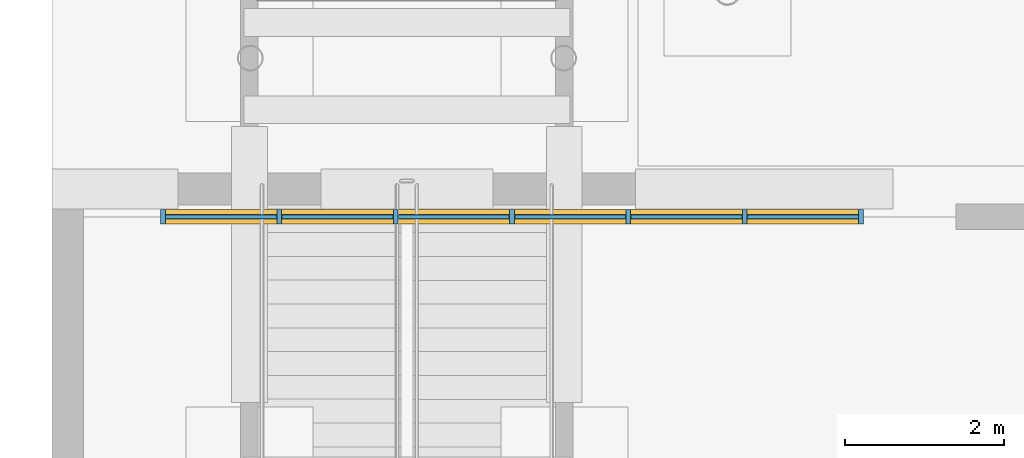
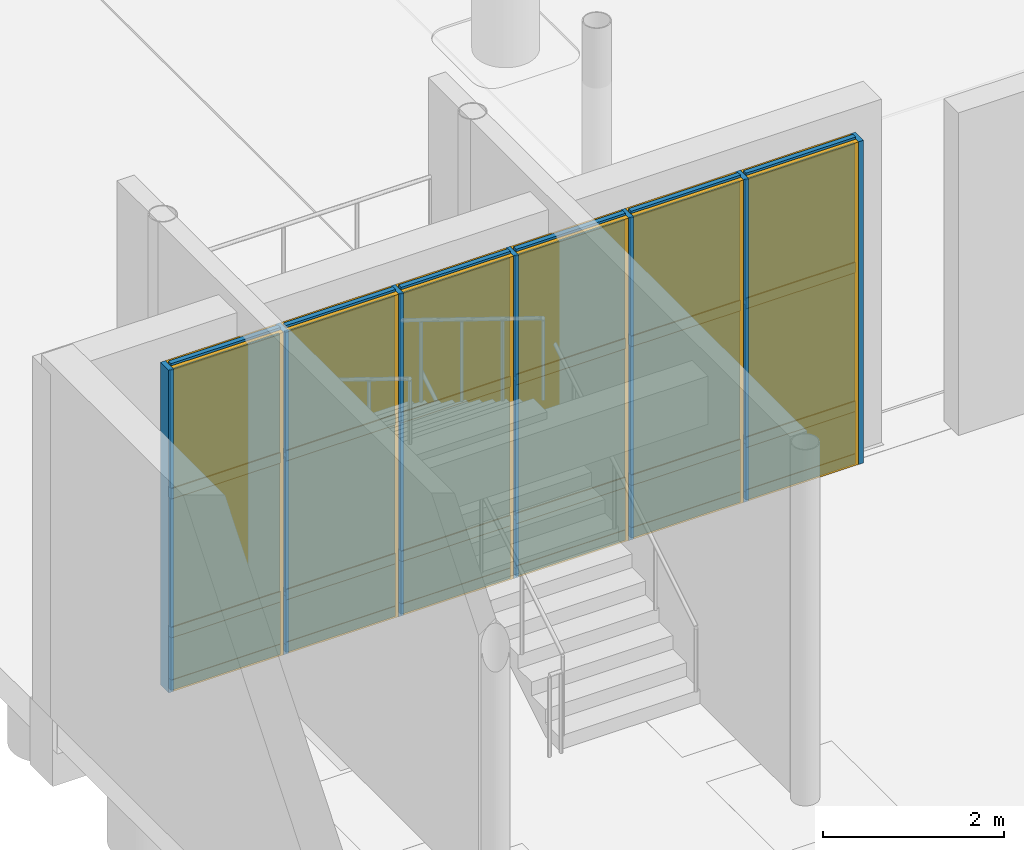
# One storey, part 34 of 46: 31 members, 18 plates, 1 curtain wall.
"""IFC4 building model written with IfcOpenShell, lengths in metres."""

from ifc_helpers import new_model, si_unit, direction, frame, frame_2d, origin, origin_2d, place, context, subcontext, project, spatial, rectangle, extrude, material, layer, layer_set, material_profile, profile_set, type_object, element, aggregate, save


model = new_model("IFC4")

# Units and contexts
model_context = context("Model", 3, precision=1e-05, world=origin(), true_north=direction((0.0, 1.0)))
body_context = subcontext(model_context, "Body", "Model", "MODEL_VIEW")
ifc_project = project(units=[si_unit("LENGTHUNIT", "METRE"), si_unit("AREAUNIT", "SQUARE_METRE"), si_unit("VOLUMEUNIT", "CUBIC_METRE"), si_unit("PLANEANGLEUNIT", "RADIAN"), si_unit("MASSUNIT", "GRAM", prefix="KILO")], contexts=[model_context])

# Member
ifc_material_1 = material(Name="Anodised Bronze Aluminium 6063-T6", Category="aluminium")
ifc_material_profile_1 = material_profile(ifc_material_1, rectangle(XDim=0.06005859375, YDim=0.179931640625, at=origin_2d()), Name="ALU MULLION 60x180")
ifc_profile_set_1 = profile_set([ifc_material_profile_1], Name="Anodised Bronze Aluminium 6063-T6")
member_type_1 = type_object("IfcMemberType", Name="Curtain-Wall Primary Mullion 60x180", PredefinedType="MULLION", material=ifc_profile_set_1)
site_placement = place(None, origin())
building_placement = place(site_placement, origin())
storey_placement = place(building_placement, frame((0.0, 0.0, -4.800048828125)))
member_1_placement = place(storey_placement, frame((59.0, 14.199951171875, 0.0), z_axis=(0.0, 0.0, 1.0), x_axis=(1.0, 0.0, 0.0)))
member_1 = element("IfcMember", 1, at=member_1_placement, type_object=member_type_1, Name="Mullion CWM-01 CW-B1-METRO-W-M01", PredefinedType="MULLION", context=body_context, shape_type="SweptSolid", body=[
    extrude(rectangle(XDim=0.06005859375, YDim=0.179931640625, at=origin_2d()), origin(), (0.0, 0.0, 1.0), 4.35009765625),
])

member_2_placement = place(storey_placement, frame((60.466796875, 14.199951171875, 0.0), z_axis=(0.0, 0.0, 1.0), x_axis=(1.0, 0.0, 0.0)))
member_2 = element("IfcMember", 2, at=member_2_placement, type_object=member_type_1, Name="Mullion CWM-01 CW-B1-METRO-W-M02", PredefinedType="MULLION", context=body_context, shape_type="SweptSolid", body=[
    extrude(rectangle(XDim=0.06005859375, YDim=0.179931640625, at=origin_2d()), origin(), (0.0, 0.0, 1.0), 4.35009765625),
])

member_3_placement = place(storey_placement, frame((61.933349609375, 14.199951171875, 0.0), z_axis=(0.0, 0.0, 1.0), x_axis=(1.0, 0.0, 0.0)))
member_3 = element("IfcMember", 3, at=member_3_placement, type_object=member_type_1, Name="Mullion CWM-01 CW-B1-METRO-W-M03", PredefinedType="MULLION", context=body_context, shape_type="SweptSolid", body=[
    extrude(rectangle(XDim=0.06005859375, YDim=0.179931640625, at=origin_2d()), origin(), (0.0, 0.0, 1.0), 4.35009765625),
])

member_4_placement = place(storey_placement, frame((63.39990234375, 14.199951171875, 0.0), z_axis=(0.0, 0.0, 1.0), x_axis=(1.0, 0.0, 0.0)))
member_4 = element("IfcMember", 4, at=member_4_placement, type_object=member_type_1, Name="Mullion CWM-01 CW-B1-METRO-W-M04", PredefinedType="MULLION", context=body_context, shape_type="SweptSolid", body=[
    extrude(rectangle(XDim=0.06005859375, YDim=0.179931640625, at=origin_2d()), origin(), (0.0, 0.0, 1.0), 4.35009765625),
])

member_5_placement = place(storey_placement, frame((64.86669921875, 14.199951171875, 0.0), z_axis=(0.0, 0.0, 1.0), x_axis=(1.0, 0.0, 0.0)))
member_5 = element("IfcMember", 5, at=member_5_placement, type_object=member_type_1, Name="Mullion CWM-01 CW-B1-METRO-W-M05", PredefinedType="MULLION", context=body_context, shape_type="SweptSolid", body=[
    extrude(rectangle(XDim=0.06005859375, YDim=0.179931640625, at=origin_2d()), origin(), (0.0, 0.0, 1.0), 4.35009765625),
])

member_6_placement = place(storey_placement, frame((66.333251953125, 14.199951171875, 0.0), z_axis=(0.0, 0.0, 1.0), x_axis=(1.0, 0.0, 0.0)))
member_6 = element("IfcMember", 6, at=member_6_placement, type_object=member_type_1, Name="Mullion CWM-01 CW-B1-METRO-W-M06", PredefinedType="MULLION", context=body_context, shape_type="SweptSolid", body=[
    extrude(rectangle(XDim=0.06005859375, YDim=0.179931640625, at=origin_2d()), origin(), (0.0, 0.0, 1.0), 4.35009765625),
])

member_7_placement = place(storey_placement, frame((67.800048828125, 14.199951171875, 0.0), z_axis=(0.0, 0.0, 1.0), x_axis=(1.0, 0.0, 0.0)))
member_7 = element("IfcMember", 7, at=member_7_placement, type_object=member_type_1, Name="Mullion CWM-01 CW-B1-METRO-W-M07", PredefinedType="MULLION", context=body_context, shape_type="SweptSolid", body=[
    extrude(rectangle(XDim=0.06005859375, YDim=0.179931640625, at=origin_2d()), origin(), (0.0, 0.0, 1.0), 4.35009765625),
])

ifc_material_profile_2 = material_profile(ifc_material_1, rectangle(XDim=0.06005859375, YDim=0.139892578125, at=origin_2d()), Name="ALU TRANSOM 60x140")
ifc_profile_set_2 = profile_set([ifc_material_profile_2], Name="Anodised Bronze Aluminium 6063-T6")
member_type_2 = type_object("IfcMemberType", Name="Curtain-Wall Transom 60x140", PredefinedType="USERDEFINED", material=ifc_profile_set_2)
member_8_placement = place(storey_placement, frame((59.034912109375, 14.199951171875, 0.0400390625), z_axis=(1.0, 0.0, 0.0), x_axis=(0.0, 1.0, 0.0)))
member_8 = element("IfcMember", 8, at=member_8_placement, type_object=member_type_2, Name="Transom CWT-01 CW-B1-METRO-W-T01.1", ObjectType="TRANSOM", PredefinedType="USERDEFINED", context=body_context, shape_type="SweptSolid", body=[
    extrude(rectangle(XDim=0.06005859375, YDim=0.139892578125, at=origin_2d()), origin(), (0.0, 0.0, 1.0), 1.396728515625),
])

member_9_placement = place(storey_placement, frame((59.034912109375, 14.199951171875, 0.75), z_axis=(1.0, 0.0, 0.0), x_axis=(0.0, 1.0, 0.0)))
member_9 = element("IfcMember", 9, at=member_9_placement, type_object=member_type_2, Name="Transom CWT-01 CW-B1-METRO-W-T01.2", ObjectType="TRANSOM", PredefinedType="USERDEFINED", context=body_context, shape_type="SweptSolid", body=[
    extrude(rectangle(XDim=0.06005859375, YDim=0.139892578125, at=origin_2d()), origin(), (0.0, 0.0, 1.0), 1.396728515625),
])

member_10_placement = place(storey_placement, frame((59.034912109375, 14.199951171875, 2.6220703125), z_axis=(1.0, 0.0, 0.0), x_axis=(0.0, 1.0, 0.0)))
member_10 = element("IfcMember", 10, at=member_10_placement, type_object=member_type_2, Name="Transom CWT-01 CW-B1-METRO-W-T01.3", ObjectType="TRANSOM", PredefinedType="USERDEFINED", context=body_context, shape_type="SweptSolid", body=[
    extrude(rectangle(XDim=0.06005859375, YDim=0.139892578125, at=origin_2d()), origin(), (0.0, 0.0, 1.0), 1.396728515625),
])

member_11_placement = place(storey_placement, frame((59.034912109375, 14.199951171875, 4.31005859375), z_axis=(1.0, 0.0, 0.0), x_axis=(0.0, 1.0, 0.0)))
member_11 = element("IfcMember", 11, at=member_11_placement, type_object=member_type_2, Name="Transom CWT-01 CW-B1-METRO-W-T01.4", ObjectType="TRANSOM", PredefinedType="USERDEFINED", context=body_context, shape_type="SweptSolid", body=[
    extrude(rectangle(XDim=0.06005859375, YDim=0.139892578125, at=origin_2d()), origin(), (0.0, 0.0, 1.0), 1.396728515625),
])

member_12_placement = place(storey_placement, frame((60.501708984375, 14.199951171875, 0.0400390625), z_axis=(1.0, 0.0, 0.0), x_axis=(0.0, 1.0, 0.0)))
member_12 = element("IfcMember", 12, at=member_12_placement, type_object=member_type_2, Name="Transom CWT-01 CW-B1-METRO-W-T02.1", ObjectType="TRANSOM", PredefinedType="USERDEFINED", context=body_context, shape_type="SweptSolid", body=[
    extrude(rectangle(XDim=0.06005859375, YDim=0.139892578125, at=origin_2d()), origin(), (0.0, 0.0, 1.0), 1.396484375),
])

member_13_placement = place(storey_placement, frame((60.501708984375, 14.199951171875, 0.75), z_axis=(1.0, 0.0, 0.0), x_axis=(0.0, 1.0, 0.0)))
member_13 = element("IfcMember", 13, at=member_13_placement, type_object=member_type_2, Name="Transom CWT-01 CW-B1-METRO-W-T02.2", ObjectType="TRANSOM", PredefinedType="USERDEFINED", context=body_context, shape_type="SweptSolid", body=[
    extrude(rectangle(XDim=0.06005859375, YDim=0.139892578125, at=origin_2d()), origin(), (0.0, 0.0, 1.0), 1.396484375),
])

member_14_placement = place(storey_placement, frame((60.501708984375, 14.199951171875, 2.6220703125), z_axis=(1.0, 0.0, 0.0), x_axis=(0.0, 1.0, 0.0)))
member_14 = element("IfcMember", 14, at=member_14_placement, type_object=member_type_2, Name="Transom CWT-01 CW-B1-METRO-W-T02.3", ObjectType="TRANSOM", PredefinedType="USERDEFINED", context=body_context, shape_type="SweptSolid", body=[
    extrude(rectangle(XDim=0.06005859375, YDim=0.139892578125, at=origin_2d()), origin(), (0.0, 0.0, 1.0), 1.396484375),
])

member_15_placement = place(storey_placement, frame((60.501708984375, 14.199951171875, 4.31005859375), z_axis=(1.0, 0.0, 0.0), x_axis=(0.0, 1.0, 0.0)))
member_15 = element("IfcMember", 15, at=member_15_placement, type_object=member_type_2, Name="Transom CWT-01 CW-B1-METRO-W-T02.4", ObjectType="TRANSOM", PredefinedType="USERDEFINED", context=body_context, shape_type="SweptSolid", body=[
    extrude(rectangle(XDim=0.06005859375, YDim=0.139892578125, at=origin_2d()), origin(), (0.0, 0.0, 1.0), 1.396484375),
])

member_16_placement = place(storey_placement, frame((61.96826171875, 14.199951171875, 0.0400390625), z_axis=(1.0, 0.0, 0.0), x_axis=(0.0, 1.0, 0.0)))
member_16 = element("IfcMember", 16, at=member_16_placement, type_object=member_type_2, Name="Transom CWT-01 CW-B1-METRO-W-T03.1", ObjectType="TRANSOM", PredefinedType="USERDEFINED", context=body_context, shape_type="SweptSolid", body=[
    extrude(rectangle(XDim=0.06005859375, YDim=0.139892578125, at=origin_2d()), origin(), (0.0, 0.0, 1.0), 1.396728515625),
])

member_17_placement = place(storey_placement, frame((61.96826171875, 14.199951171875, 0.75), z_axis=(1.0, 0.0, 0.0), x_axis=(0.0, 1.0, 0.0)))
member_17 = element("IfcMember", 17, at=member_17_placement, type_object=member_type_2, Name="Transom CWT-01 CW-B1-METRO-W-T03.2", ObjectType="TRANSOM", PredefinedType="USERDEFINED", context=body_context, shape_type="SweptSolid", body=[
    extrude(rectangle(XDim=0.06005859375, YDim=0.139892578125, at=origin_2d()), origin(), (0.0, 0.0, 1.0), 1.396728515625),
])

member_18_placement = place(storey_placement, frame((61.96826171875, 14.199951171875, 2.6220703125), z_axis=(1.0, 0.0, 0.0), x_axis=(0.0, 1.0, 0.0)))
member_18 = element("IfcMember", 18, at=member_18_placement, type_object=member_type_2, Name="Transom CWT-01 CW-B1-METRO-W-T03.3", ObjectType="TRANSOM", PredefinedType="USERDEFINED", context=body_context, shape_type="SweptSolid", body=[
    extrude(rectangle(XDim=0.06005859375, YDim=0.139892578125, at=origin_2d()), origin(), (0.0, 0.0, 1.0), 1.396728515625),
])

member_19_placement = place(storey_placement, frame((61.96826171875, 14.199951171875, 4.31005859375), z_axis=(1.0, 0.0, 0.0), x_axis=(0.0, 1.0, 0.0)))
member_19 = element("IfcMember", 19, at=member_19_placement, type_object=member_type_2, Name="Transom CWT-01 CW-B1-METRO-W-T03.4", ObjectType="TRANSOM", PredefinedType="USERDEFINED", context=body_context, shape_type="SweptSolid", body=[
    extrude(rectangle(XDim=0.06005859375, YDim=0.139892578125, at=origin_2d()), origin(), (0.0, 0.0, 1.0), 1.396728515625),
])

member_20_placement = place(storey_placement, frame((63.43505859375, 14.199951171875, 0.0400390625), z_axis=(1.0, 0.0, 0.0), x_axis=(0.0, 1.0, 0.0)))
member_20 = element("IfcMember", 20, at=member_20_placement, type_object=member_type_2, Name="Transom CWT-01 CW-B1-METRO-W-T04.1", ObjectType="TRANSOM", PredefinedType="USERDEFINED", context=body_context, shape_type="SweptSolid", body=[
    extrude(rectangle(XDim=0.06005859375, YDim=0.139892578125, at=origin_2d()), origin(), (0.0, 0.0, 1.0), 1.396728515625),
])

member_21_placement = place(storey_placement, frame((63.43505859375, 14.199951171875, 0.75), z_axis=(1.0, 0.0, 0.0), x_axis=(0.0, 1.0, 0.0)))
member_21 = element("IfcMember", 21, at=member_21_placement, type_object=member_type_2, Name="Transom CWT-01 CW-B1-METRO-W-T04.2", ObjectType="TRANSOM", PredefinedType="USERDEFINED", context=body_context, shape_type="SweptSolid", body=[
    extrude(rectangle(XDim=0.06005859375, YDim=0.139892578125, at=origin_2d()), origin(), (0.0, 0.0, 1.0), 1.396728515625),
])

member_22_placement = place(storey_placement, frame((63.43505859375, 14.199951171875, 2.6220703125), z_axis=(1.0, 0.0, 0.0), x_axis=(0.0, 1.0, 0.0)))
member_22 = element("IfcMember", 22, at=member_22_placement, type_object=member_type_2, Name="Transom CWT-01 CW-B1-METRO-W-T04.3", ObjectType="TRANSOM", PredefinedType="USERDEFINED", context=body_context, shape_type="SweptSolid", body=[
    extrude(rectangle(XDim=0.06005859375, YDim=0.139892578125, at=origin_2d()), origin(), (0.0, 0.0, 1.0), 1.396728515625),
])

member_23_placement = place(storey_placement, frame((63.43505859375, 14.199951171875, 4.31005859375), z_axis=(1.0, 0.0, 0.0), x_axis=(0.0, 1.0, 0.0)))
member_23 = element("IfcMember", 23, at=member_23_placement, type_object=member_type_2, Name="Transom CWT-01 CW-B1-METRO-W-T04.4", ObjectType="TRANSOM", PredefinedType="USERDEFINED", context=body_context, shape_type="SweptSolid", body=[
    extrude(rectangle(XDim=0.06005859375, YDim=0.139892578125, at=origin_2d()), origin(), (0.0, 0.0, 1.0), 1.396728515625),
])

member_24_placement = place(storey_placement, frame((64.901611328125, 14.199951171875, 0.0400390625), z_axis=(1.0, 0.0, 0.0), x_axis=(0.0, 1.0, 0.0)))
member_24 = element("IfcMember", 24, at=member_24_placement, type_object=member_type_2, Name="Transom CWT-01 CW-B1-METRO-W-T05.1", ObjectType="TRANSOM", PredefinedType="USERDEFINED", context=body_context, shape_type="SweptSolid", body=[
    extrude(rectangle(XDim=0.06005859375, YDim=0.139892578125, at=origin_2d()), origin(), (0.0, 0.0, 1.0), 1.396728515625),
])

member_25_placement = place(storey_placement, frame((64.901611328125, 14.199951171875, 0.75), z_axis=(1.0, 0.0, 0.0), x_axis=(0.0, 1.0, 0.0)))
member_25 = element("IfcMember", 25, at=member_25_placement, type_object=member_type_2, Name="Transom CWT-01 CW-B1-METRO-W-T05.2", ObjectType="TRANSOM", PredefinedType="USERDEFINED", context=body_context, shape_type="SweptSolid", body=[
    extrude(rectangle(XDim=0.06005859375, YDim=0.139892578125, at=origin_2d()), origin(), (0.0, 0.0, 1.0), 1.396728515625),
])

member_26_placement = place(storey_placement, frame((64.901611328125, 14.199951171875, 2.6220703125), z_axis=(1.0, 0.0, 0.0), x_axis=(0.0, 1.0, 0.0)))
member_26 = element("IfcMember", 26, at=member_26_placement, type_object=member_type_2, Name="Transom CWT-01 CW-B1-METRO-W-T05.3", ObjectType="TRANSOM", PredefinedType="USERDEFINED", context=body_context, shape_type="SweptSolid", body=[
    extrude(rectangle(XDim=0.06005859375, YDim=0.139892578125, at=origin_2d()), origin(), (0.0, 0.0, 1.0), 1.396728515625),
])

member_27_placement = place(storey_placement, frame((64.901611328125, 14.199951171875, 4.31005859375), z_axis=(1.0, 0.0, 0.0), x_axis=(0.0, 1.0, 0.0)))
member_27 = element("IfcMember", 27, at=member_27_placement, type_object=member_type_2, Name="Transom CWT-01 CW-B1-METRO-W-T05.4", ObjectType="TRANSOM", PredefinedType="USERDEFINED", context=body_context, shape_type="SweptSolid", body=[
    extrude(rectangle(XDim=0.06005859375, YDim=0.139892578125, at=origin_2d()), origin(), (0.0, 0.0, 1.0), 1.396728515625),
])

member_28_placement = place(storey_placement, frame((66.368408203125, 14.199951171875, 0.0400390625), z_axis=(1.0, 0.0, 0.0), x_axis=(0.0, 1.0, 0.0)))
member_28 = element("IfcMember", 28, at=member_28_placement, type_object=member_type_2, Name="Transom CWT-01 CW-B1-METRO-W-T06.1", ObjectType="TRANSOM", PredefinedType="USERDEFINED", context=body_context, shape_type="SweptSolid", body=[
    extrude(rectangle(XDim=0.06005859375, YDim=0.139892578125, at=origin_2d()), origin(), (0.0, 0.0, 1.0), 1.396484375),
])

member_29_placement = place(storey_placement, frame((66.368408203125, 14.199951171875, 0.75), z_axis=(1.0, 0.0, 0.0), x_axis=(0.0, 1.0, 0.0)))
member_29 = element("IfcMember", 29, at=member_29_placement, type_object=member_type_2, Name="Transom CWT-01 CW-B1-METRO-W-T06.2", ObjectType="TRANSOM", PredefinedType="USERDEFINED", context=body_context, shape_type="SweptSolid", body=[
    extrude(rectangle(XDim=0.06005859375, YDim=0.139892578125, at=origin_2d()), origin(), (0.0, 0.0, 1.0), 1.396484375),
])

member_30_placement = place(storey_placement, frame((66.368408203125, 14.199951171875, 2.6220703125), z_axis=(1.0, 0.0, 0.0), x_axis=(0.0, 1.0, 0.0)))
member_30 = element("IfcMember", 30, at=member_30_placement, type_object=member_type_2, Name="Transom CWT-01 CW-B1-METRO-W-T06.3", ObjectType="TRANSOM", PredefinedType="USERDEFINED", context=body_context, shape_type="SweptSolid", body=[
    extrude(rectangle(XDim=0.06005859375, YDim=0.139892578125, at=origin_2d()), origin(), (0.0, 0.0, 1.0), 1.396484375),
])

member_31_placement = place(storey_placement, frame((66.368408203125, 14.199951171875, 4.31005859375), z_axis=(1.0, 0.0, 0.0), x_axis=(0.0, 1.0, 0.0)))
member_31 = element("IfcMember", 31, at=member_31_placement, type_object=member_type_2, Name="Transom CWT-01 CW-B1-METRO-W-T06.4", ObjectType="TRANSOM", PredefinedType="USERDEFINED", context=body_context, shape_type="SweptSolid", body=[
    extrude(rectangle(XDim=0.06005859375, YDim=0.139892578125, at=origin_2d()), origin(), (0.0, 0.0, 1.0), 1.396484375),
])

# Plate
ifc_material_2 = material(Name="Insulated Bronze Aluminium Spandrel Panel", Category="aluminium")
ifc_layer_1 = layer(ifc_material_2, 0.050048828125, Name="Insulated Bronze Aluminium Spandrel Panel")
ifc_layer_set_1 = layer_set([ifc_layer_1], Name="Insulated Bronze Aluminium Spandrel Panel")
plate_type_1 = type_object("IfcPlateType", Name="Insulated Anodised Aluminium Spandrel Cassette 50", PredefinedType="CURTAIN_PANEL", material=ifc_layer_set_1)
plate_1_placement = place(storey_placement, frame((59.7333984375, 14.199951171875, 0.070068359375), z_axis=(0.0, 0.0, 1.0), x_axis=(1.0, 0.0, 0.0)))
plate_1 = element("IfcPlate", 32, at=plate_1_placement, type_object=plate_type_1, Name="Curtain Panel CWP-03 CW-B1-METRO-W-P01.1", PredefinedType="CURTAIN_PANEL", context=body_context, shape_type="SweptSolid", body=[
    extrude(rectangle(XDim=1.396728515625, YDim=0.050048828125, at=origin_2d()), origin(), (0.0, 0.0, 1.0), 0.64990234375),
])

plate_2_placement = place(storey_placement, frame((61.199951171875, 14.199951171875, 0.070068359375), z_axis=(0.0, 0.0, 1.0), x_axis=(1.0, 0.0, 0.0)))
plate_2 = element("IfcPlate", 33, at=plate_2_placement, type_object=plate_type_1, Name="Curtain Panel CWP-03 CW-B1-METRO-W-P02.1", PredefinedType="CURTAIN_PANEL", context=body_context, shape_type="SweptSolid", body=[
    extrude(rectangle(XDim=1.396728515625, YDim=0.050048828125, at=origin_2d()), origin(), (0.0, 0.0, 1.0), 0.64990234375),
])

plate_3_placement = place(storey_placement, frame((62.666748046875, 14.199951171875, 0.070068359375), z_axis=(0.0, 0.0, 1.0), x_axis=(1.0, 0.0, 0.0)))
plate_3 = element("IfcPlate", 34, at=plate_3_placement, type_object=plate_type_1, Name="Curtain Panel CWP-03 CW-B1-METRO-W-P03.1", PredefinedType="CURTAIN_PANEL", context=body_context, shape_type="SweptSolid", body=[
    extrude(rectangle(XDim=1.396728515625, YDim=0.050048828125, at=origin_2d()), origin(), (0.0, 0.0, 1.0), 0.64990234375),
])

plate_4_placement = place(storey_placement, frame((64.13330078125, 14.199951171875, 0.070068359375), z_axis=(0.0, 0.0, 1.0), x_axis=(1.0, 0.0, 0.0)))
plate_4 = element("IfcPlate", 35, at=plate_4_placement, type_object=plate_type_1, Name="Curtain Panel CWP-03 CW-B1-METRO-W-P04.1", PredefinedType="CURTAIN_PANEL", context=body_context, shape_type="SweptSolid", body=[
    extrude(rectangle(XDim=1.396728515625, YDim=0.050048828125, at=origin_2d()), origin(), (0.0, 0.0, 1.0), 0.64990234375),
])

plate_5_placement = place(storey_placement, frame((65.60009765625, 14.199951171875, 0.070068359375), z_axis=(0.0, 0.0, 1.0), x_axis=(1.0, 0.0, 0.0)))
plate_5 = element("IfcPlate", 36, at=plate_5_placement, type_object=plate_type_1, Name="Curtain Panel CWP-03 CW-B1-METRO-W-P05.1", PredefinedType="CURTAIN_PANEL", context=body_context, shape_type="SweptSolid", body=[
    extrude(rectangle(XDim=1.396728515625, YDim=0.050048828125, at=origin_2d()), origin(), (0.0, 0.0, 1.0), 0.64990234375),
])

plate_6_placement = place(storey_placement, frame((67.066650390625, 14.199951171875, 0.070068359375), z_axis=(0.0, 0.0, 1.0), x_axis=(1.0, 0.0, 0.0)))
plate_6 = element("IfcPlate", 37, at=plate_6_placement, type_object=plate_type_1, Name="Curtain Panel CWP-03 CW-B1-METRO-W-P06.1", PredefinedType="CURTAIN_PANEL", context=body_context, shape_type="SweptSolid", body=[
    extrude(rectangle(XDim=1.396728515625, YDim=0.050048828125, at=origin_2d()), origin(), (0.0, 0.0, 1.0), 0.64990234375),
])

ifc_material_3 = material(Name="Solar-Control Tempered Double Glazing", Category="glass")
ifc_layer_2 = layer(ifc_material_3, 0.0380859375, Name="Solar-Control Tempered Double Glazing")
ifc_layer_set_2 = layer_set([ifc_layer_2], Name="Solar-Control Tempered Double Glazing")
plate_type_2 = type_object("IfcPlateType", Name="Solar-Control Vision Glazing Unit 38", PredefinedType="CURTAIN_PANEL", material=ifc_layer_set_2)
plate_7_placement = place(storey_placement, frame((59.7333984375, 14.199951171875, 0.780029296875), z_axis=(0.0, 0.0, 1.0), x_axis=(1.0, 0.0, 0.0)))
plate_7 = element("IfcPlate", 38, at=plate_7_placement, type_object=plate_type_2, Name="Curtain Panel CWP-02 CW-B1-METRO-W-P01.2", PredefinedType="CURTAIN_PANEL", context=body_context, shape_type="SweptSolid", body=[
    extrude(rectangle(XDim=1.396728515625, YDim=0.0380859375, at=origin_2d()), origin(), (0.0, 0.0, 1.0), 1.81201171875),
])

plate_8_placement = place(storey_placement, frame((59.7333984375, 14.199951171875, 2.652099609375), z_axis=(0.0, 0.0, 1.0), x_axis=(1.0, 0.0, 0.0)))
plate_8 = element("IfcPlate", 39, at=plate_8_placement, type_object=plate_type_2, Name="Curtain Panel CWP-02 CW-B1-METRO-W-P01.3", PredefinedType="CURTAIN_PANEL", context=body_context, shape_type="SweptSolid", body=[
    extrude(rectangle(XDim=1.396728515625, YDim=0.0380859375, at=origin_2d()), origin(), (0.0, 0.0, 1.0), 1.6279296875),
])

plate_9_placement = place(storey_placement, frame((61.199951171875, 14.199951171875, 0.780029296875), z_axis=(0.0, 0.0, 1.0), x_axis=(1.0, 0.0, 0.0)))
plate_9 = element("IfcPlate", 40, at=plate_9_placement, type_object=plate_type_2, Name="Curtain Panel CWP-02 CW-B1-METRO-W-P02.2", PredefinedType="CURTAIN_PANEL", context=body_context, shape_type="SweptSolid", body=[
    extrude(rectangle(XDim=1.396728515625, YDim=0.0380859375, at=origin_2d()), origin(), (0.0, 0.0, 1.0), 1.81201171875),
])

plate_10_placement = place(storey_placement, frame((61.199951171875, 14.199951171875, 2.652099609375), z_axis=(0.0, 0.0, 1.0), x_axis=(1.0, 0.0, 0.0)))
plate_10 = element("IfcPlate", 41, at=plate_10_placement, type_object=plate_type_2, Name="Curtain Panel CWP-02 CW-B1-METRO-W-P02.3", PredefinedType="CURTAIN_PANEL", context=body_context, shape_type="SweptSolid", body=[
    extrude(rectangle(XDim=1.396728515625, YDim=0.0380859375, at=origin_2d()), origin(), (0.0, 0.0, 1.0), 1.6279296875),
])

plate_11_placement = place(storey_placement, frame((62.666748046875, 14.199951171875, 0.780029296875), z_axis=(0.0, 0.0, 1.0), x_axis=(1.0, 0.0, 0.0)))
plate_11 = element("IfcPlate", 42, at=plate_11_placement, type_object=plate_type_2, Name="Curtain Panel CWP-02 CW-B1-METRO-W-P03.2", PredefinedType="CURTAIN_PANEL", context=body_context, shape_type="SweptSolid", body=[
    extrude(rectangle(XDim=1.396728515625, YDim=0.0380859375, at=origin_2d()), origin(), (0.0, 0.0, 1.0), 1.81201171875),
])

plate_12_placement = place(storey_placement, frame((62.666748046875, 14.199951171875, 2.652099609375), z_axis=(0.0, 0.0, 1.0), x_axis=(1.0, 0.0, 0.0)))
plate_12 = element("IfcPlate", 43, at=plate_12_placement, type_object=plate_type_2, Name="Curtain Panel CWP-02 CW-B1-METRO-W-P03.3", PredefinedType="CURTAIN_PANEL", context=body_context, shape_type="SweptSolid", body=[
    extrude(rectangle(XDim=1.396728515625, YDim=0.0380859375, at=origin_2d()), origin(), (0.0, 0.0, 1.0), 1.6279296875),
])

plate_13_placement = place(storey_placement, frame((64.13330078125, 14.199951171875, 0.780029296875), z_axis=(0.0, 0.0, 1.0), x_axis=(1.0, 0.0, 0.0)))
plate_13 = element("IfcPlate", 44, at=plate_13_placement, type_object=plate_type_2, Name="Curtain Panel CWP-02 CW-B1-METRO-W-P04.2", PredefinedType="CURTAIN_PANEL", context=body_context, shape_type="SweptSolid", body=[
    extrude(rectangle(XDim=1.396728515625, YDim=0.0380859375, at=origin_2d()), origin(), (0.0, 0.0, 1.0), 1.81201171875),
])

plate_14_placement = place(storey_placement, frame((64.13330078125, 14.199951171875, 2.652099609375), z_axis=(0.0, 0.0, 1.0), x_axis=(1.0, 0.0, 0.0)))
plate_14 = element("IfcPlate", 45, at=plate_14_placement, type_object=plate_type_2, Name="Curtain Panel CWP-02 CW-B1-METRO-W-P04.3", PredefinedType="CURTAIN_PANEL", context=body_context, shape_type="SweptSolid", body=[
    extrude(rectangle(XDim=1.396728515625, YDim=0.0380859375, at=origin_2d()), origin(), (0.0, 0.0, 1.0), 1.6279296875),
])

plate_15_placement = place(storey_placement, frame((65.60009765625, 14.199951171875, 0.780029296875), z_axis=(0.0, 0.0, 1.0), x_axis=(1.0, 0.0, 0.0)))
plate_15 = element("IfcPlate", 46, at=plate_15_placement, type_object=plate_type_2, Name="Curtain Panel CWP-02 CW-B1-METRO-W-P05.2", PredefinedType="CURTAIN_PANEL", context=body_context, shape_type="SweptSolid", body=[
    extrude(rectangle(XDim=1.396728515625, YDim=0.0380859375, at=origin_2d()), origin(), (0.0, 0.0, 1.0), 1.81201171875),
])

plate_16_placement = place(storey_placement, frame((65.60009765625, 14.199951171875, 2.652099609375), z_axis=(0.0, 0.0, 1.0), x_axis=(1.0, 0.0, 0.0)))
plate_16 = element("IfcPlate", 47, at=plate_16_placement, type_object=plate_type_2, Name="Curtain Panel CWP-02 CW-B1-METRO-W-P05.3", PredefinedType="CURTAIN_PANEL", context=body_context, shape_type="SweptSolid", body=[
    extrude(rectangle(XDim=1.396728515625, YDim=0.0380859375, at=origin_2d()), origin(), (0.0, 0.0, 1.0), 1.6279296875),
])

plate_17_placement = place(storey_placement, frame((67.066650390625, 14.199951171875, 0.780029296875), z_axis=(0.0, 0.0, 1.0), x_axis=(1.0, 0.0, 0.0)))
plate_17 = element("IfcPlate", 48, at=plate_17_placement, type_object=plate_type_2, Name="Curtain Panel CWP-02 CW-B1-METRO-W-P06.2", PredefinedType="CURTAIN_PANEL", context=body_context, shape_type="SweptSolid", body=[
    extrude(rectangle(XDim=1.396728515625, YDim=0.0380859375, at=origin_2d()), origin(), (0.0, 0.0, 1.0), 1.81201171875),
])

plate_18_placement = place(storey_placement, frame((67.066650390625, 14.199951171875, 2.652099609375), z_axis=(0.0, 0.0, 1.0), x_axis=(1.0, 0.0, 0.0)))
plate_18 = element("IfcPlate", 49, at=plate_18_placement, type_object=plate_type_2, Name="Curtain Panel CWP-02 CW-B1-METRO-W-P06.3", PredefinedType="CURTAIN_PANEL", context=body_context, shape_type="SweptSolid", body=[
    extrude(rectangle(XDim=1.396728515625, YDim=0.0380859375, at=origin_2d()), origin(), (0.0, 0.0, 1.0), 1.6279296875),
])

# Site, building, storey
site = spatial("IfcSite", under=ifc_project, at=site_placement, CompositionType="ELEMENT")
building = spatial("IfcBuilding", under=site, at=building_placement, Name="Tazoul Stagehouse", CompositionType="ELEMENT")
storey = spatial("IfcBuildingStorey", under=building, at=storey_placement, Name="B1", CompositionType="ELEMENT", Elevation=-4.800048828125)

# Curtain wall
curtain_wall_type = type_object("IfcCurtainWallType", Name="Foyer Clear Solar-Control Curtain Wall", PredefinedType="NOTDEFINED", material=ifc_material_1)
curtain_wall_placement = place(storey_placement, frame((59.0, 14.199951171875, 0.0), z_axis=(0.0, 0.0, 1.0), x_axis=(1.0, 0.0, 0.0)))
curtain_wall = element("IfcCurtainWall", 50, at=curtain_wall_placement, inside=storey, type_object=curtain_wall_type, Name="B1 Curtain Wall CW-02 (CW-B1-METRO-W)", PredefinedType="NOTDEFINED", context=body_context, shape_type="SweptSolid", body=[
    extrude(rectangle(XDim=8.800048828125, YDim=0.179931640625, at=frame_2d((4.39990234375, 0.0))), origin(), (0.0, 0.0, 1.0), 4.35009765625),
])

aggregate(curtain_wall, [member_1, member_2, member_3, member_4, member_5, member_6, member_7, member_8, member_9, member_10, member_11, plate_1, plate_7, plate_8, member_12, member_13, member_14, member_15, plate_2, plate_9, plate_10, member_16, member_17, member_18, member_19, plate_3, plate_11, plate_12, member_20, member_21, member_22, member_23, plate_4, plate_13, plate_14, member_24, member_25, member_26, member_27, plate_5, plate_15, plate_16, member_28, member_29, member_30, member_31, plate_6, plate_17, plate_18])

save(model, "model.ifc")
